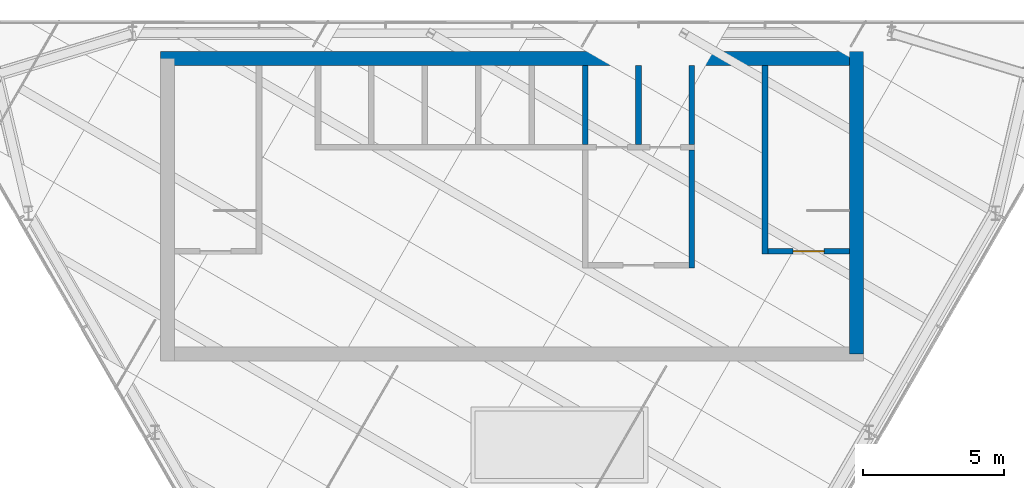
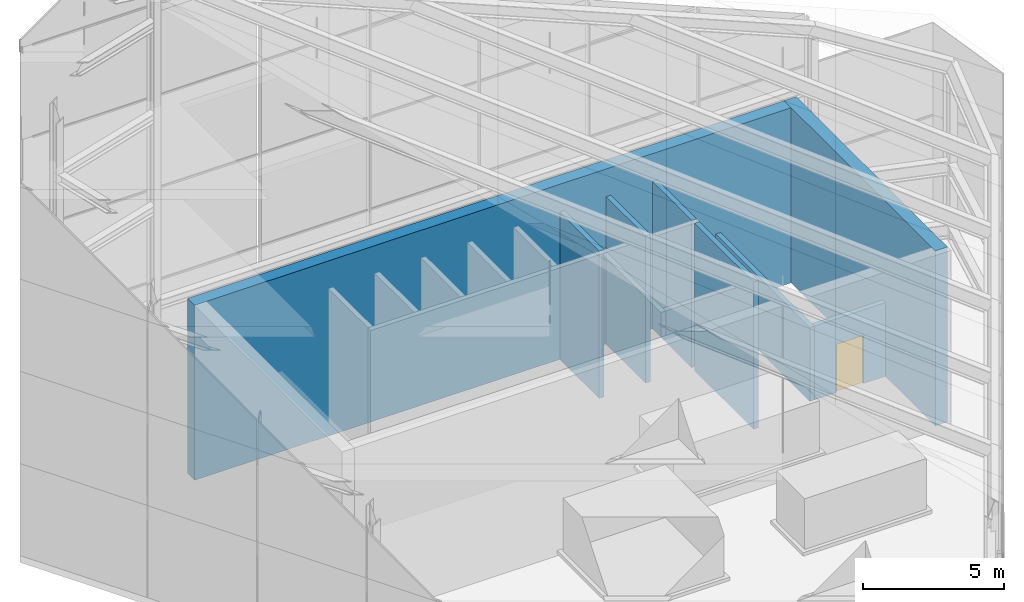
# One storey, part 14 of 16: 8 walls, 1 door, 1 opening.
"""IFC4 building model written with IfcOpenShell, lengths in metres."""

import ifcopenshell
import ifcopenshell.guid

model = None  # the IFC model being written
_history = None  # IfcOwnerHistory: only IFC2X3 demands one
_inside = {}  # id of a spatial element -> (the spatial element, [elements in it])
_under = {}  # id of a project, library or spatial element -> (it, [spatial elements below it])
_declared = {}  # id of a project -> (the project, [libraries it declares])
_typed = {}  # id of a type object -> (the type object, [elements of that type])
_made_of = {}  # id of a material, layer set ... -> (it, [elements and type objects made of it])


def new_model(schema):
    """Start an empty IFC model of exactly this schema.

    Asked for "IFC4X3", IfcOpenShell would pick the latest addendum, in which some entities
    have other attributes; the version numbers below select the first issue.
    IFC2X3 requires an IfcOwnerHistory on every rooted entity: one is made here for all.
    """
    global model, _history
    if schema == "IFC4X3":
        model = ifcopenshell.file(schema_version=(4, 3, 0, 0))
    else:
        model = ifcopenshell.file(schema=schema)
    _inside.clear()
    _under.clear()
    _declared.clear()
    _typed.clear()
    _made_of.clear()
    _history = None
    if model.schema == "IFC2X3":
        org = make("IfcOrganization", Name="unknown")
        user = make(
            "IfcPersonAndOrganization",
            ThePerson=make("IfcPerson", FamilyName="unknown"),
            TheOrganization=org,
        )
        app = make(
            "IfcApplication",
            ApplicationDeveloper=org,
            Version="unknown",
            ApplicationFullName="unknown",
            ApplicationIdentifier="unknown",
        )
        _history = make(
            "IfcOwnerHistory",
            OwningUser=user,
            OwningApplication=app,
            ChangeAction="ADDED",
            CreationDate=0,
        )
    return model


def make(cls, **values):
    """One entity of the class cls with the attributes given. An attribute that is None is left unset."""
    return model.create_entity(
        cls, **{name: value for name, value in values.items() if value is not None}
    )


def rooted(cls, **values):
    """An entity with a GlobalId (a new one), such as an element, a storey or a relation."""
    return make(cls, GlobalId=ifcopenshell.guid.new(), OwnerHistory=_history, **values)


def si_unit(unit_type, name, prefix=None):
    """IfcSIUnit, for example si_unit("LENGTHUNIT", "METRE", prefix="MILLI")."""
    return make("IfcSIUnit", UnitType=unit_type, Prefix=prefix, Name=name)


def assignment(units):
    """IfcUnitAssignment: the units of a project."""
    return None if units is None else make("IfcUnitAssignment", Units=units)


def point(xyz):
    """IfcCartesianPoint."""
    return None if xyz is None else make("IfcCartesianPoint", Coordinates=xyz)


def direction(xyz):
    """IfcDirection."""
    return None if xyz is None else make("IfcDirection", DirectionRatios=xyz)


def frame(location, z_axis=None, x_axis=None):
    """IfcAxis2Placement3D, a coordinate frame: its origin and axes. An axis left out is left unset."""
    return make(
        "IfcAxis2Placement3D",
        Location=point(location),
        Axis=direction(z_axis),
        RefDirection=direction(x_axis),
    )


def frame_2d(location, x_axis=None):
    """IfcAxis2Placement2D, a coordinate frame in the plane: its origin and x axis."""
    return make(
        "IfcAxis2Placement2D", Location=point(location), RefDirection=direction(x_axis)
    )


def origin():
    """The frame at (0, 0, 0) with its axes left unset."""
    return frame((0.0, 0.0, 0.0))


def place(relative_to, where):
    """IfcLocalPlacement: puts the frame where relative to a parent placement (None: the world)."""
    return make(
        "IfcLocalPlacement", PlacementRelTo=relative_to, RelativePlacement=where
    )


def context(
    kind, dimensions, precision=None, world=None, true_north=None, identifier=None
):
    """IfcGeometricRepresentationContext, for example the 3D "Model" context."""
    return make(
        "IfcGeometricRepresentationContext",
        ContextIdentifier=identifier,
        ContextType=kind,
        CoordinateSpaceDimension=dimensions,
        Precision=precision,
        WorldCoordinateSystem=world,
        TrueNorth=true_north,
    )


def subcontext(parent, identifier, kind, view, scale=None):
    """IfcGeometricRepresentationSubContext, for example "Body" below "Model"."""
    return make(
        "IfcGeometricRepresentationSubContext",
        ContextIdentifier=identifier,
        ContextType=kind,
        ParentContext=parent,
        TargetScale=scale,
        TargetView=view,
    )


def project(units=None, contexts=None):
    """IfcProject with its units and contexts."""
    return rooted(
        "IfcProject",
        Name="project",
        RepresentationContexts=contexts,
        UnitsInContext=assignment(units),
    )


def spatial(cls, under=None, at=None, **own):
    """A site, building, storey or space (cls), placed at a placement, below another one or the project."""
    s = rooted(cls, ObjectPlacement=at, **own)
    if under is not None:
        _under.setdefault(under.id(), (under, []))[1].append(s)
    return s


def profile(cls, at=None, kind="AREA", **sizes):
    """A parametric profile (cls). Its sizes go by their IFC names, for example OverallWidth=200.0."""
    return make(cls, ProfileType=kind, Position=at, **sizes)


def rectangle(**sizes):
    """IfcRectangleProfileDef."""
    return profile("IfcRectangleProfileDef", **sizes)


def extrude(swept, where, along, depth):
    """IfcExtrudedAreaSolid: the profile swept, set in the frame where, extruded along a direction by depth."""
    return make(
        "IfcExtrudedAreaSolid",
        SweptArea=swept,
        Position=where,
        ExtrudedDirection=direction(along),
        Depth=depth,
    )


def shape(context_of_items, identifier, shape_type, items):
    """IfcShapeRepresentation: the items that make up one representation, for example the "Body"."""
    return make(
        "IfcShapeRepresentation",
        ContextOfItems=context_of_items,
        RepresentationIdentifier=identifier,
        RepresentationType=shape_type,
        Items=items,
    )


def material(Name=None, Category=None):
    """IfcMaterial."""
    return make("IfcMaterial", Name=Name, Category=Category)


def layer(
    of_material, thickness, ventilated=None, Name=None, Category=None, Priority=None
):
    """IfcMaterialLayer: one layer of a wall or slab, of a material (None: an air gap)."""
    return make(
        "IfcMaterialLayer",
        Material=of_material,
        LayerThickness=thickness,
        IsVentilated=ventilated,
        Name=Name,
        Category=Category,
        Priority=Priority,
    )


def layer_set(layers, Name=None):
    """IfcMaterialLayerSet."""
    return make("IfcMaterialLayerSet", MaterialLayers=layers, LayerSetName=Name)


def made_of(thing, what):
    """Note that an element or type object is made of a material, layer set ...; save() writes the relation."""
    if what is not None:
        _made_of.setdefault(what.id(), (what, []))[1].append(thing)
    return thing


def type_object(cls, material=None, **own):
    """A type object (cls), such as IfcWallType, which elements share."""
    return made_of(rooted(cls, **own), material)


def element(
    cls,
    number,
    at=None,
    inside=None,
    cuts=None,
    type_object=None,
    material=None,
    context=None,
    identifier="Body",
    shape_type=None,
    held_by="IfcProductDefinitionShape",
    body=None,
    shapes=None,
    **own,
):
    """One element of the class cls, such as IfcWall. Its Tag is "e" and its number.

    at: its placement. inside: the storey or other place that contains it. cuts: it is an
    opening in that element (IfcRelVoidsElement). A single representation is given by context,
    identifier, shape_type and body (its items); several are given by shapes. held_by: the class
    of the entity that holds the representations. save() writes the other relations.
    """
    e = rooted(cls, Tag="e%d" % number, ObjectPlacement=at, **own)
    if body is not None:
        shapes = [shape(context, identifier, shape_type, body)]
    if shapes is not None:
        e.Representation = make(held_by, Representations=shapes)
    if inside is not None:
        _inside.setdefault(inside.id(), (inside, []))[1].append(e)
    if cuts is not None:
        rooted(
            "IfcRelVoidsElement", RelatingBuildingElement=cuts, RelatedOpeningElement=e
        )
    if type_object is not None:
        _typed.setdefault(type_object.id(), (type_object, []))[1].append(e)
    return made_of(e, material)


def fill(opening, filler):
    """IfcRelFillsElement: the door or window that sits in an opening."""
    return rooted(
        "IfcRelFillsElement",
        RelatingOpeningElement=opening,
        RelatedBuildingElement=filler,
    )


def aggregate(whole, parts):
    """IfcRelAggregates: a whole, such as a stair, and the parts it consists of."""
    return rooted("IfcRelAggregates", RelatingObject=whole, RelatedObjects=parts)


def save(model, path):
    """Write the relations noted so far, then the file.

    IfcRelAggregates (storeys below a building ...), IfcRelContainedInSpatialStructure (elements
    in a storey), IfcRelDefinesByType, IfcRelAssociatesMaterial and IfcRelDeclares: one each for
    every whole, place, type object, material and project.
    """
    for whole, parts in _under.values():
        aggregate(whole, parts)
    for where, things in _inside.values():
        rooted(
            "IfcRelContainedInSpatialStructure",
            RelatedElements=things,
            RelatingStructure=where,
        )
    for kind, things in _typed.values():
        rooted("IfcRelDefinesByType", RelatedObjects=things, RelatingType=kind)
    for what, things in _made_of.values():
        rooted("IfcRelAssociatesMaterial", RelatedObjects=things, RelatingMaterial=what)
    for by, libraries in _declared.values():
        rooted("IfcRelDeclares", RelatingContext=by, RelatedDefinitions=libraries)
    model.write(path)


model = new_model("IFC4")

# Units and contexts
model_context = context("Model", 3, precision=1e-05, world=origin(), true_north=direction((0.0, 1.0)))
body_context = subcontext(model_context, "Body", "Model", "MODEL_VIEW")
ifc_project = project(units=[si_unit("LENGTHUNIT", "METRE"), si_unit("AREAUNIT", "SQUARE_METRE"), si_unit("VOLUMEUNIT", "CUBIC_METRE"), si_unit("PLANEANGLEUNIT", "RADIAN"), si_unit("MASSUNIT", "GRAM", prefix="KILO")], contexts=[model_context])

# Site, building, storey
site_placement = place(None, origin())
site = spatial("IfcSite", under=ifc_project, at=site_placement, CompositionType="ELEMENT")
building_placement = place(site_placement, origin())
building = spatial("IfcBuilding", under=site, at=building_placement, Name="Altiplano Prism Tower", CompositionType="ELEMENT")
storey_placement = place(building_placement, frame((0.0, 0.0, 358.0)))
storey = spatial("IfcBuildingStorey", under=building, at=storey_placement, Name="Crown", CompositionType="ELEMENT", Elevation=358.0)

# Walls
ifc_material_1 = material(Name="Concrete C60/75", Category="concrete")
ifc_layer_1 = layer(ifc_material_1, 0.5)
ifc_layer_set_1 = layer_set([ifc_layer_1], Name="Concrete C60/75")
wall_type_1 = type_object("IfcWallType", Name="Core wall 500", PredefinedType="SHEAR", material=ifc_layer_set_1)
wall_1_placement = place(storey_placement, frame((97.25, 93.14990234375, 0.0), z_axis=(0.0, 0.0, 1.0), x_axis=(0.0, 1.0, 0.0)))
element("IfcWall", 1, at=wall_1_placement, inside=storey, type_object=wall_type_1, Name="Core wall E Crown", PredefinedType="SHEAR", context=body_context, shape_type="SweptSolid", body=[
    extrude(rectangle(XDim=10.75, YDim=0.5, at=frame_2d((5.375, 0.0))), origin(), (0.0, 0.0, 1.0), 7.60009765625),
])
wall_2_placement = place(storey_placement, frame((97.25, 103.64990234375, 0.0), z_axis=(0.0, 0.0, 1.0), x_axis=(-1.0, 0.0, 0.0)))
element("IfcWall", 2, at=wall_2_placement, inside=storey, type_object=wall_type_1, Name="Core wall N Crown", PredefinedType="SHEAR", context=body_context, shape_type="SweptSolid", body=[
    extrude(rectangle(XDim=24.75, YDim=0.5, at=frame_2d((12.375, 0.0))), origin(), (0.0, 0.0, 1.0), 7.60009765625),
])
ifc_layer_2 = layer(ifc_material_1, 0.199951171875)
ifc_layer_set_2 = layer_set([ifc_layer_2], Name="Concrete C60/75")
wall_type_2 = type_object("IfcWallType", Name="Shaft wall 200", PredefinedType="SOLIDWALL", material=ifc_layer_set_2)
for number, where, z_axis, x_axis, name in (
    (3, (87.60009765625, 100.60009765625, 0.0), (0.0, 0.0, 1.0), (0.0, 1.0, 0.0), "Shaft wall Crown"),
    (4, (89.5, 100.60009765625, 0.0), (0.0, 0.0, 1.0), (0.0, 1.0, 0.0), "Shaft wall Crown"),
    (5, (91.39990234375, 100.60009765625, 0.0), (0.0, 0.0, 1.0), (0.0, 1.0, 0.0), "Shaft wall Crown"),
):
    element("IfcWall", number, at=place(storey_placement, frame(where, z_axis=z_axis, x_axis=x_axis)), inside=storey, type_object=wall_type_2, Name=name, PredefinedType="SOLIDWALL", context=body_context, shape_type="SweptSolid", body=[
        extrude(rectangle(XDim=2.7998046875, YDim=0.199951171875, at=frame_2d((1.39990234375, 0.0))), origin(), (0.0, 0.0, 1.0), 6.39990234375),
    ])
ifc_layer_3 = layer(ifc_material_1, 0.199951171875)
ifc_layer_set_3 = layer_set([ifc_layer_3], Name="Concrete C60/75")
wall_type_3 = type_object("IfcWallType", Name="Stair wall 200", PredefinedType="SOLIDWALL", material=ifc_layer_set_3)
wall_3_placement = place(storey_placement, frame((94.0, 96.699951171875, 0.0), z_axis=(0.0, 0.0, 1.0), x_axis=(0.0, 1.0, 0.0)))
element("IfcWall", 6, at=wall_3_placement, inside=storey, type_object=wall_type_3, Name="Stair wall Crown", PredefinedType="SOLIDWALL", context=body_context, shape_type="SweptSolid", body=[
    extrude(rectangle(XDim=6.699951171875, YDim=0.199951171875, at=frame_2d((3.35009765625, 0.0))), origin(), (0.0, 0.0, 1.0), 3.199951171875),
])

# Wall, opening, door
wall_4_placement = place(storey_placement, frame((94.10009765625, 96.800048828125, 0.0), z_axis=(0.0, 0.0, 1.0), x_axis=(1.0, 0.0, 0.0)))
wall_4 = element("IfcWall", 7, at=wall_4_placement, inside=storey, type_object=wall_type_3, Name="Stair wall Crown", PredefinedType="SOLIDWALL", context=body_context, shape_type="SweptSolid", body=[
    extrude(rectangle(XDim=2.89990234375, YDim=0.199951171875, at=frame_2d((1.449951171875, 0.0))), origin(), (0.0, 0.0, 1.0), 3.199951171875),
])
opening_placement = place(wall_4_placement, frame((0.89990234375, 0.0, 0.0)))
opening = element("IfcOpeningElement", 8, at=opening_placement, cuts=wall_4, Name="Opening D3911", PredefinedType="OPENING", context=body_context, shape_type="SweptSolid", body=[
    extrude(rectangle(XDim=1.10009765625, YDim=2.10009765625, at=frame_2d((0.550048828125, 1.050048828125))), frame((0.0, 0.1103515625, 0.0), z_axis=(0.0, -1.0, 0.0), x_axis=(1.0, 0.0, 0.0)), (0.0, 0.0, 1.0), 0.220947265625),
])
ifc_material_2 = material(Name="Fire-rated steel door", Category="steel")
door_type = type_object("IfcDoorType", Name="Stair fire door 1100 x 2100", OperationType="NOTDEFINED", PredefinedType="NOTDEFINED", material=ifc_material_2)
door_placement = place(opening_placement, origin())
door = element("IfcDoor", 9, at=door_placement, inside=storey, type_object=door_type, Name="Stair fire door D3911", OperationType="SINGLE_SWING_LEFT", OverallHeight=2.10009765625, OverallWidth=1.10009765625, PredefinedType="NOTDEFINED", context=body_context, shape_type="SweptSolid", body=[
    extrude(rectangle(XDim=1.10009765625, YDim=2.10009765625, at=frame_2d((0.550048828125, 1.050048828125))), frame((0.0, 0.02490234375, 0.0), z_axis=(0.0, -1.0, 0.0), x_axis=(1.0, 0.0, 0.0)), (0.0, 0.0, 1.0), 0.050048828125),
])
fill(opening, door)

# Wall
ifc_layer_4 = layer(ifc_material_1, 0.199951171875)
ifc_layer_set_4 = layer_set([ifc_layer_4], Name="Concrete C60/75")
wall_type_4 = type_object("IfcWallType", Name="Vestibule wall 200", PredefinedType="PARTITIONING", material=ifc_layer_set_4)
wall_5_placement = place(storey_placement, frame((91.39990234375, 96.199951171875, 0.0), z_axis=(0.0, 0.0, 1.0), x_axis=(0.0, 1.0, 0.0)))
element("IfcWall", 10, at=wall_5_placement, inside=storey, type_object=wall_type_4, Name="Vestibule wall Crown", PredefinedType="PARTITIONING", context=body_context, shape_type="SweptSolid", body=[
    extrude(rectangle(XDim=4.199951171875, YDim=0.199951171875, at=frame_2d((2.10009765625, 0.0))), origin(), (0.0, 0.0, 1.0), 6.39990234375),
])

save(model, "model.ifc")
